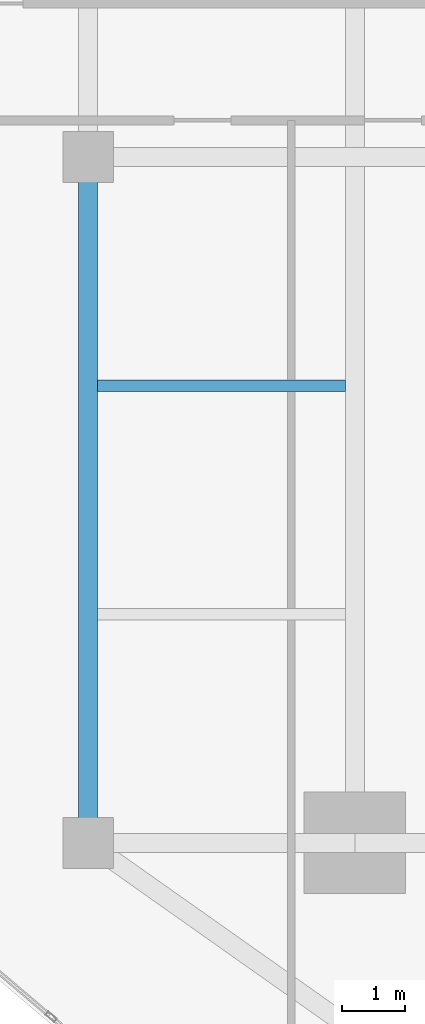
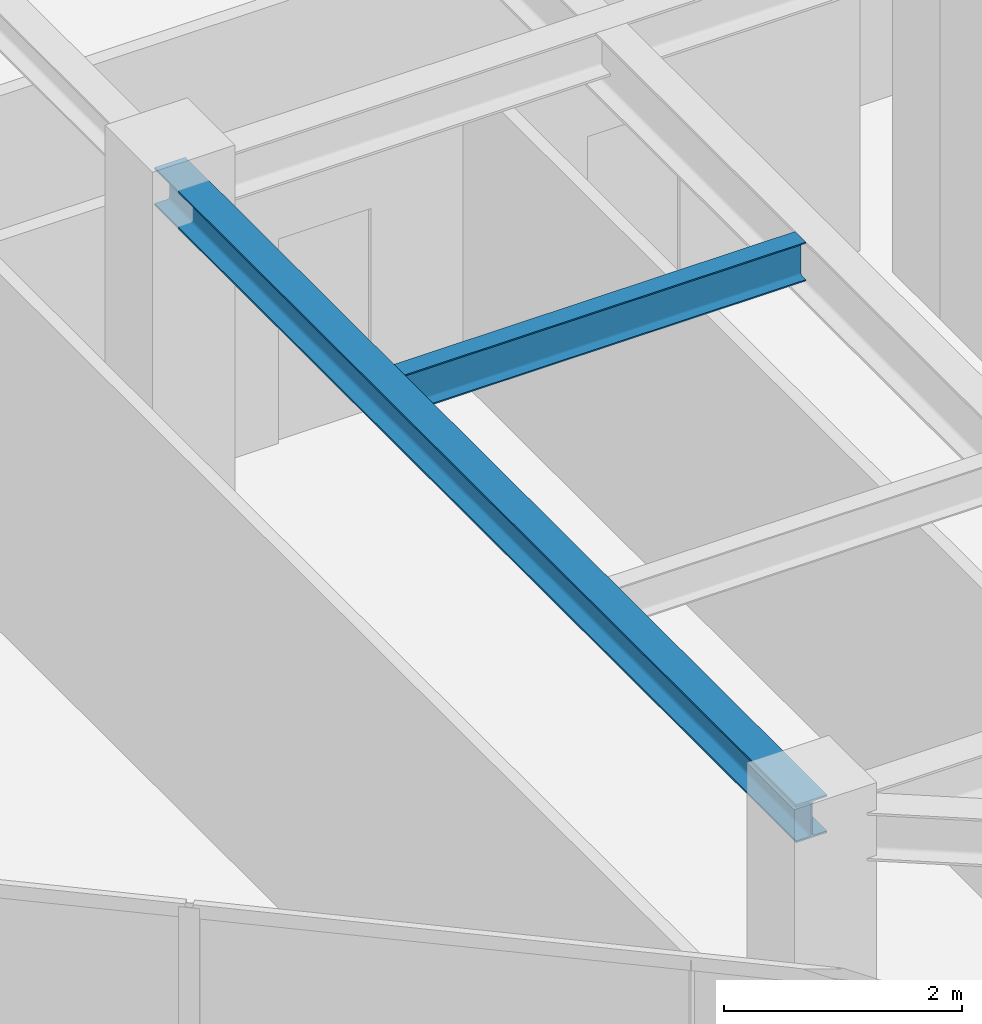
# One storey, part 7 of 25: 2 beams.
"""IFC4 building model written with IfcOpenShell, lengths in metres."""

import ifcopenshell
import ifcopenshell.guid

model = None  # the IFC model being written
_history = None  # IfcOwnerHistory: only IFC2X3 demands one
_inside = {}  # id of a spatial element -> (the spatial element, [elements in it])
_under = {}  # id of a project, library or spatial element -> (it, [spatial elements below it])
_declared = {}  # id of a project -> (the project, [libraries it declares])
_typed = {}  # id of a type object -> (the type object, [elements of that type])
_made_of = {}  # id of a material, layer set ... -> (it, [elements and type objects made of it])


def new_model(schema):
    """Start an empty IFC model of exactly this schema.

    Asked for "IFC4X3", IfcOpenShell would pick the latest addendum, in which some entities
    have other attributes; the version numbers below select the first issue.
    IFC2X3 requires an IfcOwnerHistory on every rooted entity: one is made here for all.
    """
    global model, _history
    if schema == "IFC4X3":
        model = ifcopenshell.file(schema_version=(4, 3, 0, 0))
    else:
        model = ifcopenshell.file(schema=schema)
    _inside.clear()
    _under.clear()
    _declared.clear()
    _typed.clear()
    _made_of.clear()
    _history = None
    if model.schema == "IFC2X3":
        org = make("IfcOrganization", Name="unknown")
        user = make(
            "IfcPersonAndOrganization",
            ThePerson=make("IfcPerson", FamilyName="unknown"),
            TheOrganization=org,
        )
        app = make(
            "IfcApplication",
            ApplicationDeveloper=org,
            Version="unknown",
            ApplicationFullName="unknown",
            ApplicationIdentifier="unknown",
        )
        _history = make(
            "IfcOwnerHistory",
            OwningUser=user,
            OwningApplication=app,
            ChangeAction="ADDED",
            CreationDate=0,
        )
    return model


def make(cls, **values):
    """One entity of the class cls with the attributes given. An attribute that is None is left unset."""
    return model.create_entity(
        cls, **{name: value for name, value in values.items() if value is not None}
    )


def rooted(cls, **values):
    """An entity with a GlobalId (a new one), such as an element, a storey or a relation."""
    return make(cls, GlobalId=ifcopenshell.guid.new(), OwnerHistory=_history, **values)


def si_unit(unit_type, name, prefix=None):
    """IfcSIUnit, for example si_unit("LENGTHUNIT", "METRE", prefix="MILLI")."""
    return make("IfcSIUnit", UnitType=unit_type, Prefix=prefix, Name=name)


def assignment(units):
    """IfcUnitAssignment: the units of a project."""
    return None if units is None else make("IfcUnitAssignment", Units=units)


def point(xyz):
    """IfcCartesianPoint."""
    return None if xyz is None else make("IfcCartesianPoint", Coordinates=xyz)


def direction(xyz):
    """IfcDirection."""
    return None if xyz is None else make("IfcDirection", DirectionRatios=xyz)


def frame(location, z_axis=None, x_axis=None):
    """IfcAxis2Placement3D, a coordinate frame: its origin and axes. An axis left out is left unset."""
    return make(
        "IfcAxis2Placement3D",
        Location=point(location),
        Axis=direction(z_axis),
        RefDirection=direction(x_axis),
    )


def frame_2d(location, x_axis=None):
    """IfcAxis2Placement2D, a coordinate frame in the plane: its origin and x axis."""
    return make(
        "IfcAxis2Placement2D", Location=point(location), RefDirection=direction(x_axis)
    )


def origin():
    """The frame at (0, 0, 0) with its axes left unset."""
    return frame((0.0, 0.0, 0.0))


def origin_2d():
    """The frame at (0, 0) in the plane with its x axis left unset."""
    return frame_2d((0.0, 0.0))


def place(relative_to, where):
    """IfcLocalPlacement: puts the frame where relative to a parent placement (None: the world)."""
    return make(
        "IfcLocalPlacement", PlacementRelTo=relative_to, RelativePlacement=where
    )


def context(
    kind, dimensions, precision=None, world=None, true_north=None, identifier=None
):
    """IfcGeometricRepresentationContext, for example the 3D "Model" context."""
    return make(
        "IfcGeometricRepresentationContext",
        ContextIdentifier=identifier,
        ContextType=kind,
        CoordinateSpaceDimension=dimensions,
        Precision=precision,
        WorldCoordinateSystem=world,
        TrueNorth=true_north,
    )


def subcontext(parent, identifier, kind, view, scale=None):
    """IfcGeometricRepresentationSubContext, for example "Body" below "Model"."""
    return make(
        "IfcGeometricRepresentationSubContext",
        ContextIdentifier=identifier,
        ContextType=kind,
        ParentContext=parent,
        TargetScale=scale,
        TargetView=view,
    )


def project(units=None, contexts=None):
    """IfcProject with its units and contexts."""
    return rooted(
        "IfcProject",
        Name="project",
        RepresentationContexts=contexts,
        UnitsInContext=assignment(units),
    )


def spatial(cls, under=None, at=None, **own):
    """A site, building, storey or space (cls), placed at a placement, below another one or the project."""
    s = rooted(cls, ObjectPlacement=at, **own)
    if under is not None:
        _under.setdefault(under.id(), (under, []))[1].append(s)
    return s


def profile(cls, at=None, kind="AREA", **sizes):
    """A parametric profile (cls). Its sizes go by their IFC names, for example OverallWidth=200.0."""
    return make(cls, ProfileType=kind, Position=at, **sizes)


def i_section(**sizes):
    """IfcIShapeProfileDef."""
    return profile("IfcIShapeProfileDef", **sizes)


def extrude(swept, where, along, depth):
    """IfcExtrudedAreaSolid: the profile swept, set in the frame where, extruded along a direction by depth."""
    return make(
        "IfcExtrudedAreaSolid",
        SweptArea=swept,
        Position=where,
        ExtrudedDirection=direction(along),
        Depth=depth,
    )


def shape(context_of_items, identifier, shape_type, items):
    """IfcShapeRepresentation: the items that make up one representation, for example the "Body"."""
    return make(
        "IfcShapeRepresentation",
        ContextOfItems=context_of_items,
        RepresentationIdentifier=identifier,
        RepresentationType=shape_type,
        Items=items,
    )


def source(mapping_origin, context_of_items, identifier, shape_type, items):
    """IfcRepresentationMap: a shape defined once, which mapped items show again and again."""
    return make(
        "IfcRepresentationMap",
        MappingOrigin=mapping_origin,
        MappedRepresentation=shape(context_of_items, identifier, shape_type, items),
    )


def transform(
    local_origin,
    x_axis=None,
    y_axis=None,
    z_axis=None,
    scale=None,
    scale2=None,
    scale3=None,
    uniform=True,
):
    """IfcCartesianTransformationOperator3D, or its non-uniform kind. x_axis, y_axis, z_axis: its Axis1, 2, 3."""
    if uniform:
        return make(
            "IfcCartesianTransformationOperator3D",
            Axis1=direction(x_axis),
            Axis2=direction(y_axis),
            LocalOrigin=point(local_origin),
            Scale=scale,
            Axis3=direction(z_axis),
        )
    return make(
        "IfcCartesianTransformationOperator3DnonUniform",
        Axis1=direction(x_axis),
        Axis2=direction(y_axis),
        LocalOrigin=point(local_origin),
        Scale=scale,
        Axis3=direction(z_axis),
        Scale2=scale2,
        Scale3=scale3,
    )


def mapped(mapping_source, mapping_target):
    """IfcMappedItem: shows the shape of a source again, moved by a transform."""
    return make(
        "IfcMappedItem", MappingSource=mapping_source, MappingTarget=mapping_target
    )


def material(Name=None, Category=None):
    """IfcMaterial."""
    return make("IfcMaterial", Name=Name, Category=Category)


def material_profile(
    of_material, cross_section, Name=None, Category=None, Priority=None
):
    """IfcMaterialProfile: a cross section and its material."""
    return make(
        "IfcMaterialProfile",
        Name=Name,
        Material=of_material,
        Profile=cross_section,
        Priority=Priority,
        Category=Category,
    )


def profile_set(profiles, Name=None, composite=None):
    """IfcMaterialProfileSet."""
    return make(
        "IfcMaterialProfileSet",
        Name=Name,
        MaterialProfiles=profiles,
        CompositeProfile=composite,
    )


def made_of(thing, what):
    """Note that an element or type object is made of a material, layer set ...; save() writes the relation."""
    if what is not None:
        _made_of.setdefault(what.id(), (what, []))[1].append(thing)
    return thing


def type_object(cls, material=None, **own):
    """A type object (cls), such as IfcWallType, which elements share."""
    return made_of(rooted(cls, **own), material)


def type_shapes(of_type, sources):
    """Give a type object the sources (RepresentationMaps) that its elements show as mapped items."""
    of_type.RepresentationMaps = sources


def element(
    cls,
    number,
    at=None,
    inside=None,
    cuts=None,
    type_object=None,
    material=None,
    context=None,
    identifier="Body",
    shape_type=None,
    held_by="IfcProductDefinitionShape",
    body=None,
    shapes=None,
    **own,
):
    """One element of the class cls, such as IfcWall. Its Tag is "e" and its number.

    at: its placement. inside: the storey or other place that contains it. cuts: it is an
    opening in that element (IfcRelVoidsElement). A single representation is given by context,
    identifier, shape_type and body (its items); several are given by shapes. held_by: the class
    of the entity that holds the representations. save() writes the other relations.
    """
    e = rooted(cls, Tag="e%d" % number, ObjectPlacement=at, **own)
    if body is not None:
        shapes = [shape(context, identifier, shape_type, body)]
    if shapes is not None:
        e.Representation = make(held_by, Representations=shapes)
    if inside is not None:
        _inside.setdefault(inside.id(), (inside, []))[1].append(e)
    if cuts is not None:
        rooted(
            "IfcRelVoidsElement", RelatingBuildingElement=cuts, RelatedOpeningElement=e
        )
    if type_object is not None:
        _typed.setdefault(type_object.id(), (type_object, []))[1].append(e)
    return made_of(e, material)


def aggregate(whole, parts):
    """IfcRelAggregates: a whole, such as a stair, and the parts it consists of."""
    return rooted("IfcRelAggregates", RelatingObject=whole, RelatedObjects=parts)


def save(model, path):
    """Write the relations noted so far, then the file.

    IfcRelAggregates (storeys below a building ...), IfcRelContainedInSpatialStructure (elements
    in a storey), IfcRelDefinesByType, IfcRelAssociatesMaterial and IfcRelDeclares: one each for
    every whole, place, type object, material and project.
    """
    for whole, parts in _under.values():
        aggregate(whole, parts)
    for where, things in _inside.values():
        rooted(
            "IfcRelContainedInSpatialStructure",
            RelatedElements=things,
            RelatingStructure=where,
        )
    for kind, things in _typed.values():
        rooted("IfcRelDefinesByType", RelatedObjects=things, RelatingType=kind)
    for what, things in _made_of.values():
        rooted("IfcRelAssociatesMaterial", RelatedObjects=things, RelatingMaterial=what)
    for by, libraries in _declared.values():
        rooted("IfcRelDeclares", RelatingContext=by, RelatedDefinitions=libraries)
    model.write(path)


model = new_model("IFC4")

# Units and contexts
model_context = context("Model", 3, precision=1e-05, world=origin(), true_north=direction((0.0, 1.0)))
body_context = subcontext(model_context, "Body", "Model", "MODEL_VIEW")
ifc_project = project(units=[si_unit("LENGTHUNIT", "METRE"), si_unit("AREAUNIT", "SQUARE_METRE"), si_unit("VOLUMEUNIT", "CUBIC_METRE"), si_unit("PLANEANGLEUNIT", "RADIAN"), si_unit("MASSUNIT", "GRAM", prefix="KILO")], contexts=[model_context])

# Site, building, storey
site_placement = place(None, origin())
site = spatial("IfcSite", under=ifc_project, at=site_placement, CompositionType="ELEMENT")
building_placement = place(site_placement, origin())
building = spatial("IfcBuilding", under=site, at=building_placement, Name="Krantzveldt Concourse Tower", CompositionType="ELEMENT")
storey_placement = place(building_placement, frame((0.0, 0.0, 215.199951171875)))
storey = spatial("IfcBuildingStorey", under=building, at=storey_placement, Name="L52", CompositionType="ELEMENT", Elevation=215.199951171875)

# Beams
ifc_material = material(Name="Steel S355JR", Category="steel")
ifc_material_profile_1 = material_profile(ifc_material, i_section(OverallWidth=0.300048828125, OverallDepth=0.389892578125, WebThickness=0.010986328125, FlangeThickness=0.01904296875, FilletRadius=0.027099609375, at=origin_2d()), Name="Steel S355JR", Category="steel")
ifc_profile_set_1 = profile_set([ifc_material_profile_1], Name="Steel S355JR - HEA 400")
beam_type_1 = type_object("IfcBeamType", Name="BM-SP-HEA400", PredefinedType="SPANDREL", material=ifc_profile_set_1)
shared_shape_1 = source(origin(), body_context, "Body", "SweptSolid", [
    extrude(i_section(OverallWidth=0.300048828125, OverallDepth=0.389892578125, WebThickness=0.010986328125, FlangeThickness=0.01904296875, FilletRadius=0.027099609375, at=origin_2d()), origin(), (0.0, 0.0, 1.0), 10.800048828125),
])
type_shapes(beam_type_1, [shared_shape_1])
beam_1_placement = place(storey_placement, frame((21.0, 15.89990234375, 3.47509765625), z_axis=(0.0, 1.0, 0.0), x_axis=(-1.0, 0.0, 0.0)))
element("IfcBeam", 1, at=beam_1_placement, inside=storey, type_object=beam_type_1, Name="L52 Tower Girder SP-R01", PredefinedType="SPANDREL", context=body_context, shape_type="MappedRepresentation", body=[
    mapped(shared_shape_1, transform((0.0, 0.0, 0.0), x_axis=(1.0, 0.0, 0.0), y_axis=(0.0, 1.0, 0.0), z_axis=(0.0, 0.0, 1.0), scale=1.0)),
])
ifc_material_profile_2 = material_profile(ifc_material, i_section(OverallWidth=0.179931640625, OverallDepth=0.39990234375, WebThickness=0.008544921875, FlangeThickness=0.013427734375, FilletRadius=0.02099609375, at=origin_2d()), Name="Steel S355JR", Category="steel")
ifc_profile_set_2 = profile_set([ifc_material_profile_2], Name="Steel S355JR - IPE 400")
beam_type_2 = type_object("IfcBeamType", Name="BM-J-IPE400", PredefinedType="JOIST", material=ifc_profile_set_2)
shared_shape_2 = source(origin(), body_context, "Body", "SweptSolid", [
    extrude(i_section(OverallWidth=0.179931640625, OverallDepth=0.39990234375, WebThickness=0.008544921875, FlangeThickness=0.013427734375, FilletRadius=0.02099609375, at=origin_2d()), origin(), (0.0, 0.0, 1.0), 3.900146484375),
])
type_shapes(beam_type_2, [shared_shape_2])
beam_2_placement = place(storey_placement, frame((21.14990234375, 23.10009765625, 3.469970703125), z_axis=(1.0, 0.0, 0.0), x_axis=(0.0, 1.0, 0.0)))
element("IfcBeam", 2, at=beam_2_placement, inside=storey, type_object=beam_type_2, Name="L52 Secondary Floor Joist JW-2", PredefinedType="JOIST", context=body_context, shape_type="MappedRepresentation", body=[
    mapped(shared_shape_2, transform((0.0, 0.0, 0.0), x_axis=(1.0, 0.0, 0.0), y_axis=(0.0, 1.0, 0.0), z_axis=(0.0, 0.0, 1.0), scale=1.0)),
])

save(model, "model.ifc")
